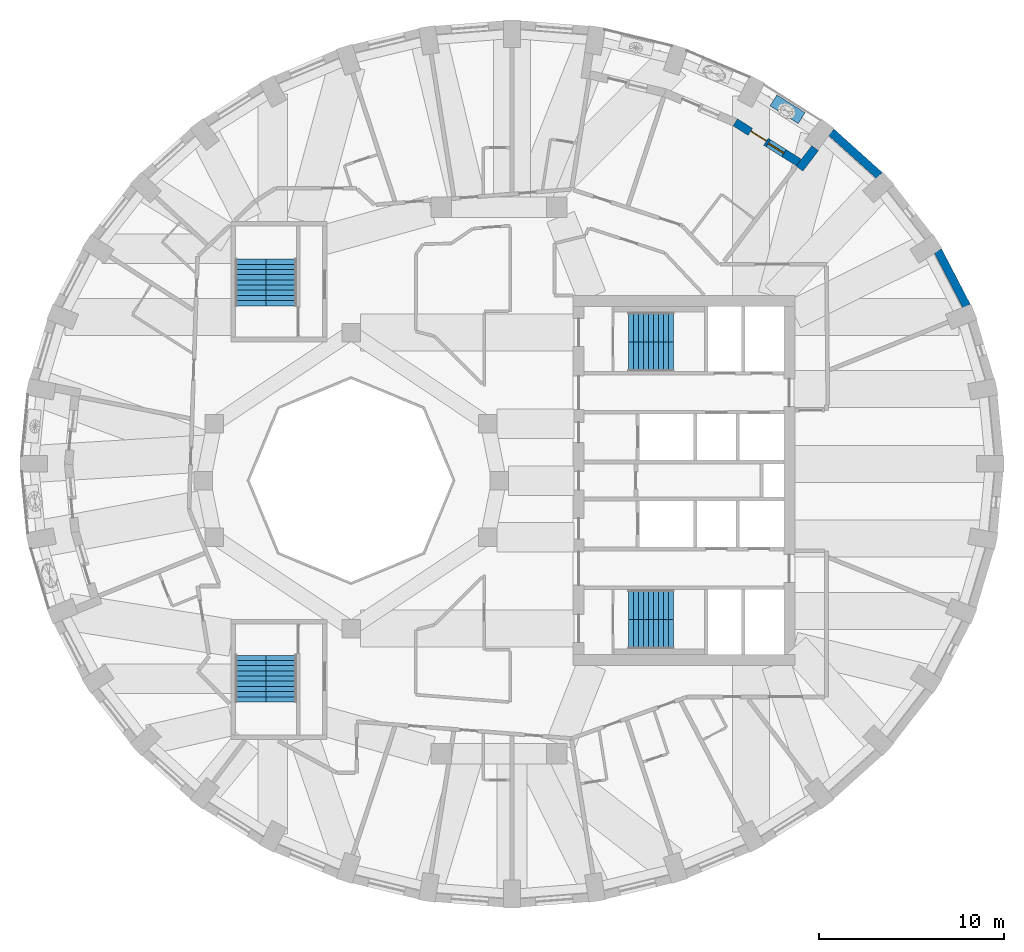
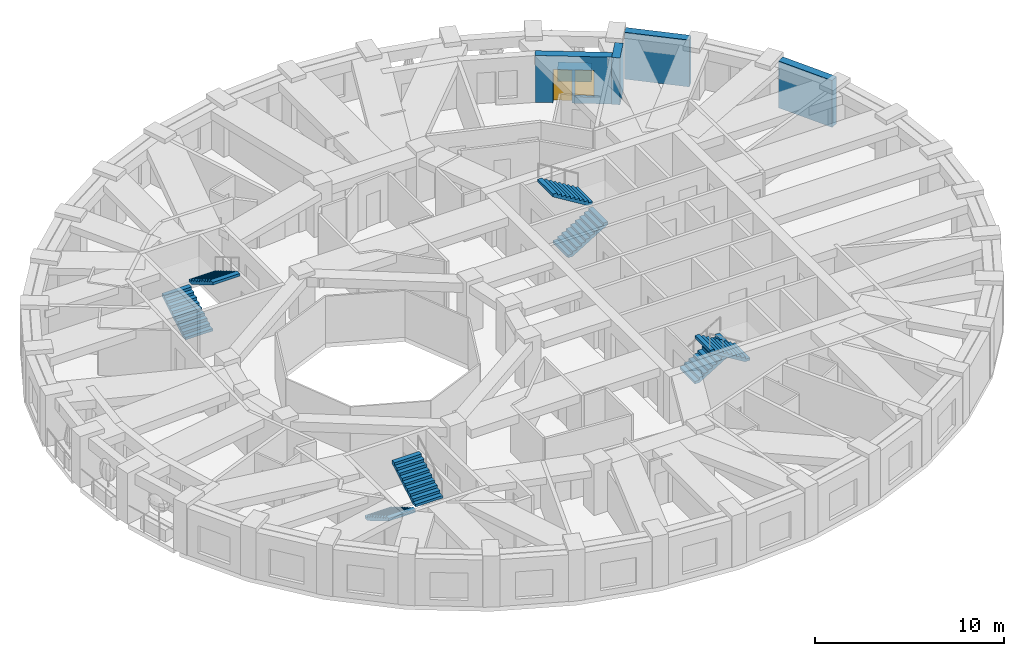
# One storey, part 9 of 12: 8 stair flights, 5 walls, 1 door, 1 window, 2 openings, 4 elements without a shape of their own.
"""IFC4 building model written with IfcOpenShell, lengths in metres."""

from ifc_helpers import new_model, si_unit, direction, frame, frame_2d, origin, place, context, subcontext, project, spatial, polyline, rectangle, outline, extrude, material, layer, layer_set, constituent, constituent_set, type_object, element, fill, aggregate, save


model = new_model("IFC4")

# Units and contexts
model_context = context("Model", 3, precision=1e-05, world=origin(), true_north=direction((0.0, 1.0)))
body_context = subcontext(model_context, "Body", "Model", "MODEL_VIEW")
ifc_project = project(units=[si_unit("LENGTHUNIT", "METRE"), si_unit("AREAUNIT", "SQUARE_METRE"), si_unit("VOLUMEUNIT", "CUBIC_METRE"), si_unit("PLANEANGLEUNIT", "RADIAN"), si_unit("MASSUNIT", "GRAM", prefix="KILO")], contexts=[model_context])

# Site, building, storey
site_placement = place(None, origin())
site = spatial("IfcSite", under=ifc_project, at=site_placement, CompositionType="ELEMENT")
building_placement = place(site_placement, origin())
building = spatial("IfcBuilding", under=site, at=building_placement, Name="Taillehof Tower", CompositionType="ELEMENT")
storey_placement = place(building_placement, frame((0.0, 0.0, 195.800048828125)))
storey = spatial("IfcBuildingStorey", under=building, at=storey_placement, Name="L55", CompositionType="ELEMENT", Elevation=195.800048828125)

# Walls
ifc_material_1 = material(Name="Brick masonry", Category="masonry")
ifc_layer = layer(ifc_material_1, 0.449951171875)
ifc_layer_set = layer_set([ifc_layer], Name="Brick infill wall 450")
wall_type_1 = type_object("IfcWallType", Name="Brick infill wall 450", PredefinedType="SOLIDWALL", material=ifc_layer_set)
wall_1_placement = place(storey_placement, frame((25.278076171875, 9.431640625, 0.0), z_axis=(0.0, 0.0, 1.0), x_axis=(-0.460175500475, 0.887827972505, 0.0)))
element("IfcWall", 1, at=wall_1_placement, inside=storey, type_object=wall_type_1, Name="Brick wall L55 bay 3", PredefinedType="SOLIDWALL", context=body_context, shape_type="SweptSolid", body=[
    extrude(rectangle(XDim=3.37060546875, YDim=0.449951171875, at=frame_2d((1.685302734375, 0.0))), origin(), (0.0, 0.0, 1.0), 3.02001953125),
])
wall_2_placement = place(storey_placement, frame((20.56494140625, 16.490478515625, 0.0), z_axis=(0.0, 0.0, 1.0), x_axis=(-0.743442727602, 0.668799604348, 0.0)))
element("IfcWall", 2, at=wall_2_placement, inside=storey, type_object=wall_type_1, Name="Brick wall L55 bay 5", PredefinedType="SOLIDWALL", context=body_context, shape_type="SweptSolid", body=[
    extrude(rectangle(XDim=3.5126953125, YDim=0.449951171875, at=frame_2d((1.75634765625, 0.0))), origin(), (0.0, 0.0, 1.0), 3.02001953125),
])
wall_3_placement = place(storey_placement, frame((17.084716796875, 17.969970703125, 0.0), z_axis=(0.0, 0.0, 1.0), x_axis=(-0.603644757989, -0.797253414011, 0.0)))
element("IfcWall", 3, at=wall_3_placement, inside=storey, type_object=wall_type_1, Name="Brick reveal L55 pocket 1", PredefinedType="SOLIDWALL", context=body_context, shape_type="SweptSolid", body=[
    extrude(rectangle(XDim=1.390869140625, YDim=0.449951171875, at=frame_2d((0.6953125, 0.0))), origin(), (0.0, 0.0, 1.0), 3.02001953125),
])

# Wall, openings, door, window
wall_4_placement = place(storey_placement, frame((16.213134765625, 17.191650390625, 0.0), z_axis=(0.0, 0.0, 1.0), x_axis=(-0.84545185308, 0.534051649303, 0.0)))
wall_4 = element("IfcWall", 4, at=wall_4_placement, inside=storey, type_object=wall_type_1, Name="Brick wall L55 pocket bay 6", PredefinedType="SOLIDWALL", context=body_context, shape_type="SweptSolid", body=[
    extrude(rectangle(XDim=4.0712890625, YDim=0.449951171875, at=frame_2d((2.03564453125, 0.0))), origin(), (0.0, 0.0, 1.0), 3.02001953125),
])
opening_1_placement = place(wall_4_placement, frame((0.960693359375, 0.0, 0.39990234375)))
opening_1 = element("IfcOpeningElement", 5, at=opening_1_placement, cuts=wall_4, Name="Opening W5", PredefinedType="OPENING", context=body_context, shape_type="SweptSolid", body=[
    extrude(rectangle(XDim=1.0, YDim=1.75, at=frame_2d((0.5, 0.875))), frame((0.0, 0.23486328125, 0.0), z_axis=(0.0, -1.0, 0.0), x_axis=(1.0, 0.0, 0.0)), (0.0, 0.0, 1.0), 0.469970703125),
])
opening_2_placement = place(wall_4_placement, frame((2.110595703125, 0.0, 0.0)))
opening_2 = element("IfcOpeningElement", 6, at=opening_2_placement, cuts=wall_4, Name="Opening D5591", PredefinedType="OPENING", context=body_context, shape_type="SweptSolid", body=[
    extrude(rectangle(XDim=1.0, YDim=2.14990234375, at=frame_2d((0.5, 1.074951171875))), frame((0.0, 0.23486328125, 0.0), z_axis=(0.0, -1.0, 0.0), x_axis=(1.0, 0.0, 0.0)), (0.0, 0.0, 1.0), 0.469970703125),
])
ifc_material_2 = material(Name="Aluminium door frame with clear double glazing", Category="aluminium")
door_type = type_object("IfcDoorType", Name="Balcony door 1000x2150", OperationType="SINGLE_SWING_RIGHT", PredefinedType="DOOR", material=ifc_material_2)
door_placement = place(opening_2_placement, frame((1.0, 0.0, 0.0), z_axis=(0.0, 0.0, 1.0), x_axis=(-1.0, 0.0, 0.0)))
door = element("IfcDoor", 7, at=door_placement, inside=storey, type_object=door_type, Name="Balcony door L55 bay 6", OperationType="SINGLE_SWING_RIGHT", OverallHeight=2.14990234375, OverallWidth=1.0, PredefinedType="DOOR", context=body_context, shape_type="SweptSolid", body=[
    extrude(rectangle(XDim=1.0, YDim=2.14990234375, at=frame_2d((0.5, 1.074951171875))), frame((0.0, 0.0751953125, 0.0), z_axis=(0.0, -1.0, 0.0), x_axis=(1.0, 0.0, 0.0)), (0.0, 0.0, 1.0), 0.050048828125),
])
fill(opening_2, door)
ifc_material_3 = material(Name="Aluminium window frame with clear double glazing", Category="aluminium")
window_type = type_object("IfcWindowType", Name="Fixed window 1000x1750", PartitioningType="SINGLE_PANEL", PredefinedType="WINDOW", material=ifc_material_3)
window_placement = place(opening_1_placement, origin())
window = element("IfcWindow", 8, at=window_placement, inside=storey, type_object=window_type, Name="W5", OverallHeight=1.75, OverallWidth=1.0, PartitioningType="SINGLE_PANEL", PredefinedType="WINDOW", context=body_context, shape_type="SweptSolid", body=[
    extrude(rectangle(XDim=1.0, YDim=1.75, at=frame_2d((0.5, 0.875))), frame((0.0, 0.034912109375, 0.0), z_axis=(0.0, -1.0, 0.0), x_axis=(1.0, 0.0, 0.0)), (0.0, 0.0, 1.0), 0.06005859375),
])
fill(opening_1, window)

# Wall
ifc_material_4 = material(Name="Concrete C30/37 precast", Category="concrete")
ifc_constituent_1 = constituent(ifc_material_4, Name="Structure", Category="concrete")
ifc_material_5 = material(Name="Insulated lining")
ifc_constituent_2 = constituent(ifc_material_5, Name="Lining")
ifc_constituent_set = constituent_set(constituents=[ifc_constituent_1, ifc_constituent_2], Name="Planter trough 700x750")
wall_type_2 = type_object("IfcWallType", Name="Planter trough 700x750", PredefinedType="USERDEFINED", material=ifc_constituent_set)
wall_5_placement = place(storey_placement, frame((16.359619140625, 19.59326171875, 0.0), z_axis=(0.0, 0.0, 1.0), x_axis=(-0.846149017978, 0.532946375703, 0.0)))
element("IfcWall", 9, at=wall_5_placement, inside=storey, type_object=wall_type_2, Name="Planter L55 bay 6", ObjectType="PLANTER", PredefinedType="USERDEFINED", context=body_context, shape_type="SweptSolid", body=[
    extrude(rectangle(XDim=1.7998046875, YDim=0.699951171875, at=frame_2d((0.89990234375, 0.0))), origin(), (0.0, 0.0, 1.0), 0.75),
])

# Stair, stair flights
ifc_material_6 = material(Name="Concrete C40/50", Category="concrete")
stair_type = type_object("IfcStairType", Name="Exit stair half-turn", PredefinedType="HALF_TURN_STAIR", material=ifc_material_6)
stair_1_placement = place(storey_placement, origin())
stair_1 = element("IfcStair", 10, at=stair_1_placement, inside=storey, type_object=stair_type, Name="Exit stair S1", PredefinedType="HALF_TURN_STAIR")
ifc_material_7 = material(Name="Concrete C40/50", Category="concrete")
stair_flight_type_1 = type_object("IfcStairFlightType", Name="Stair flight 1600 riser 165.0 going 270", PredefinedType="STRAIGHT", material=ifc_material_7)
stair_flight_1_placement = place(storey_placement, frame((7.0, 6.699951171875, 0.0), z_axis=(0.0, 0.0, 1.0), x_axis=(1.0, 0.0, 0.0)))
stair_flight_1 = element("IfcStairFlight", 11, at=stair_flight_1_placement, type_object=stair_flight_type_1, Name="S1 flight 1", NumberOfRisers=10, NumberOfTreads=9, PredefinedType="STRAIGHT", RiserHeight=0.165, TreadLength=0.27, context=body_context, shape_type="SweptSolid", body=[
    extrude(outline(polyline([(0.0, 0.0), (0.0, 0.00537109375), (0.0, 0.0107421875), (0.0, 0.015869140625), (0.0, 0.021240234375), (0.0, 0.026611328125), (0.0, 0.031982421875), (0.0, 0.037353515625), (0.0, 0.04248046875), (0.0, 0.0478515625), (0.0, 0.05322265625), (0.0, 0.05859375), (0.0, 0.06396484375), (0.0, 0.069091796875), (0.0, 0.074462890625), (0.0, 0.079833984375), (0.0, 0.085205078125), (0.0, 0.090576171875), (0.0, 0.095703125), (0.0, 0.10107421875), (0.0, 0.1064453125), (0.0, 0.11181640625), (0.0, 0.1171875), (0.0, 0.122314453125), (0.0, 0.127685546875), (0.0, 0.133056640625), (0.0, 0.138427734375), (0.0, 0.143798828125), (0.0, 0.14892578125), (0.0, 0.154296875), (0.0, 0.15966796875), (0.0, 0.1650390625), (0.27001953125, 0.1650390625), (0.27001953125, 0.330078125), (0.5400390625, 0.330078125), (0.5400390625, 0.4951171875), (0.81005859375, 0.4951171875), (0.81005859375, 0.659912109375), (1.080078125, 0.659912109375), (1.080078125, 0.824951171875), (1.35009765625, 0.824951171875), (1.35009765625, 0.989990234375), (1.6201171875, 0.989990234375), (1.6201171875, 1.155029296875), (1.889892578125, 1.155029296875), (1.889892578125, 1.320068359375), (2.159912109375, 1.320068359375), (2.159912109375, 1.485107421875), (2.429931640625, 1.485107421875), (2.429931640625, 1.479248046875), (2.429931640625, 1.4736328125), (2.429931640625, 1.468017578125), (2.429931640625, 1.46240234375), (2.429931640625, 1.45654296875), (2.429931640625, 1.450927734375), (2.429931640625, 1.4453125), (2.429931640625, 1.439697265625), (2.429931640625, 1.43408203125), (2.429931640625, 1.42822265625), (2.429931640625, 1.422607421875), (2.429931640625, 1.4169921875), (2.429931640625, 1.411376953125), (2.429931640625, 1.40576171875), (2.429931640625, 1.39990234375), (2.429931640625, 1.394287109375), (2.429931640625, 1.388671875), (2.429931640625, 1.383056640625), (2.429931640625, 1.37744140625), (2.429931640625, 1.37158203125), (2.429931640625, 1.365966796875), (2.429931640625, 1.3603515625), (2.429931640625, 1.354736328125), (2.429931640625, 1.348876953125), (2.429931640625, 1.34326171875), (2.429931640625, 1.337646484375), (2.429931640625, 1.33203125), (2.429931640625, 1.326416015625), (2.429931640625, 1.320556640625), (2.429931640625, 1.31494140625), (2.429931640625, 1.309326171875), (0.287353515625, 0.0), (0.0, 0.0)])), frame((0.0, 0.800048828125, 0.0), z_axis=(0.0, -1.0, 0.0), x_axis=(1.0, 0.0, 0.0)), (0.0, 0.0, 1.0), 1.6),
])
stair_flight_2_placement = place(storey_placement, frame((9.429931640625, 8.300048828125, 1.64990234375), z_axis=(0.0, 0.0, 1.0), x_axis=(-1.0, 0.0, 0.0)))
stair_flight_2 = element("IfcStairFlight", 12, at=stair_flight_2_placement, type_object=stair_flight_type_1, Name="S1 flight 2", NumberOfRisers=10, NumberOfTreads=9, PredefinedType="STRAIGHT", RiserHeight=0.165, TreadLength=0.27, context=body_context, shape_type="SweptSolid", body=[
    extrude(outline(polyline([(0.0, 0.0), (0.0, 0.00537109375), (0.0, 0.0107421875), (0.0, 0.015869140625), (0.0, 0.021240234375), (0.0, 0.026611328125), (0.0, 0.031982421875), (0.0, 0.037353515625), (0.0, 0.04248046875), (0.0, 0.0478515625), (0.0, 0.05322265625), (0.0, 0.05859375), (0.0, 0.06396484375), (0.0, 0.069091796875), (0.0, 0.074462890625), (0.0, 0.079833984375), (0.0, 0.085205078125), (0.0, 0.090576171875), (0.0, 0.095703125), (0.0, 0.10107421875), (0.0, 0.1064453125), (0.0, 0.11181640625), (0.0, 0.1171875), (0.0, 0.122314453125), (0.0, 0.127685546875), (0.0, 0.133056640625), (0.0, 0.138427734375), (0.0, 0.143798828125), (0.0, 0.14892578125), (0.0, 0.154296875), (0.0, 0.15966796875), (0.0, 0.1650390625), (0.27001953125, 0.1650390625), (0.27001953125, 0.330078125), (0.5400390625, 0.330078125), (0.5400390625, 0.4951171875), (0.81005859375, 0.4951171875), (0.81005859375, 0.659912109375), (1.080078125, 0.659912109375), (1.080078125, 0.824951171875), (1.35009765625, 0.824951171875), (1.35009765625, 0.989990234375), (1.6201171875, 0.989990234375), (1.6201171875, 1.155029296875), (1.889892578125, 1.155029296875), (1.889892578125, 1.320068359375), (2.159912109375, 1.320068359375), (2.159912109375, 1.485107421875), (2.429931640625, 1.485107421875), (2.429931640625, 1.479248046875), (2.429931640625, 1.4736328125), (2.429931640625, 1.468017578125), (2.429931640625, 1.46240234375), (2.429931640625, 1.45654296875), (2.429931640625, 1.450927734375), (2.429931640625, 1.4453125), (2.429931640625, 1.439697265625), (2.429931640625, 1.43408203125), (2.429931640625, 1.42822265625), (2.429931640625, 1.422607421875), (2.429931640625, 1.4169921875), (2.429931640625, 1.411376953125), (2.429931640625, 1.40576171875), (2.429931640625, 1.39990234375), (2.429931640625, 1.394287109375), (2.429931640625, 1.388671875), (2.429931640625, 1.383056640625), (2.429931640625, 1.37744140625), (2.429931640625, 1.37158203125), (2.429931640625, 1.365966796875), (2.429931640625, 1.3603515625), (2.429931640625, 1.354736328125), (2.429931640625, 1.348876953125), (2.429931640625, 1.34326171875), (2.429931640625, 1.337646484375), (2.429931640625, 1.33203125), (2.429931640625, 1.326416015625), (2.429931640625, 1.320556640625), (2.429931640625, 1.31494140625), (2.429931640625, 1.309326171875), (0.287353515625, 0.0), (0.0, 0.0)])), frame((0.0, 0.800048828125, 0.0), z_axis=(0.0, -1.0, 0.0), x_axis=(1.0, 0.0, 0.0)), (0.0, 0.0, 1.0), 1.6),
])
aggregate(stair_1, [stair_flight_1, stair_flight_2])

stair_2_placement = place(storey_placement, origin())
stair_2 = element("IfcStair", 13, at=stair_2_placement, inside=storey, type_object=stair_type, Name="Exit stair S2", PredefinedType="HALF_TURN_STAIR")
stair_flight_3_placement = place(storey_placement, frame((7.0, -6.699951171875, 0.0), z_axis=(0.0, 0.0, 1.0), x_axis=(1.0, 0.0, 0.0)))
stair_flight_3 = element("IfcStairFlight", 14, at=stair_flight_3_placement, type_object=stair_flight_type_1, Name="S2 flight 1", NumberOfRisers=10, NumberOfTreads=9, PredefinedType="STRAIGHT", RiserHeight=0.165, TreadLength=0.27, context=body_context, shape_type="SweptSolid", body=[
    extrude(outline(polyline([(0.0, 0.0), (0.0, 0.00537109375), (0.0, 0.0107421875), (0.0, 0.015869140625), (0.0, 0.021240234375), (0.0, 0.026611328125), (0.0, 0.031982421875), (0.0, 0.037353515625), (0.0, 0.04248046875), (0.0, 0.0478515625), (0.0, 0.05322265625), (0.0, 0.05859375), (0.0, 0.06396484375), (0.0, 0.069091796875), (0.0, 0.074462890625), (0.0, 0.079833984375), (0.0, 0.085205078125), (0.0, 0.090576171875), (0.0, 0.095703125), (0.0, 0.10107421875), (0.0, 0.1064453125), (0.0, 0.11181640625), (0.0, 0.1171875), (0.0, 0.122314453125), (0.0, 0.127685546875), (0.0, 0.133056640625), (0.0, 0.138427734375), (0.0, 0.143798828125), (0.0, 0.14892578125), (0.0, 0.154296875), (0.0, 0.15966796875), (0.0, 0.1650390625), (0.27001953125, 0.1650390625), (0.27001953125, 0.330078125), (0.5400390625, 0.330078125), (0.5400390625, 0.4951171875), (0.81005859375, 0.4951171875), (0.81005859375, 0.659912109375), (1.080078125, 0.659912109375), (1.080078125, 0.824951171875), (1.35009765625, 0.824951171875), (1.35009765625, 0.989990234375), (1.6201171875, 0.989990234375), (1.6201171875, 1.155029296875), (1.889892578125, 1.155029296875), (1.889892578125, 1.320068359375), (2.159912109375, 1.320068359375), (2.159912109375, 1.485107421875), (2.429931640625, 1.485107421875), (2.429931640625, 1.479248046875), (2.429931640625, 1.4736328125), (2.429931640625, 1.468017578125), (2.429931640625, 1.46240234375), (2.429931640625, 1.45654296875), (2.429931640625, 1.450927734375), (2.429931640625, 1.4453125), (2.429931640625, 1.439697265625), (2.429931640625, 1.43408203125), (2.429931640625, 1.42822265625), (2.429931640625, 1.422607421875), (2.429931640625, 1.4169921875), (2.429931640625, 1.411376953125), (2.429931640625, 1.40576171875), (2.429931640625, 1.39990234375), (2.429931640625, 1.394287109375), (2.429931640625, 1.388671875), (2.429931640625, 1.383056640625), (2.429931640625, 1.37744140625), (2.429931640625, 1.37158203125), (2.429931640625, 1.365966796875), (2.429931640625, 1.3603515625), (2.429931640625, 1.354736328125), (2.429931640625, 1.348876953125), (2.429931640625, 1.34326171875), (2.429931640625, 1.337646484375), (2.429931640625, 1.33203125), (2.429931640625, 1.326416015625), (2.429931640625, 1.320556640625), (2.429931640625, 1.31494140625), (2.429931640625, 1.309326171875), (0.287353515625, 0.0), (0.0, 0.0)])), frame((0.0, 0.800048828125, 0.0), z_axis=(0.0, -1.0, 0.0), x_axis=(1.0, 0.0, 0.0)), (0.0, 0.0, 1.0), 1.6),
])
stair_flight_4_placement = place(storey_placement, frame((9.429931640625, -8.300048828125, 1.64990234375), z_axis=(0.0, 0.0, 1.0), x_axis=(-1.0, 0.0, 0.0)))
stair_flight_4 = element("IfcStairFlight", 15, at=stair_flight_4_placement, type_object=stair_flight_type_1, Name="S2 flight 2", NumberOfRisers=10, NumberOfTreads=9, PredefinedType="STRAIGHT", RiserHeight=0.165, TreadLength=0.27, context=body_context, shape_type="SweptSolid", body=[
    extrude(outline(polyline([(0.0, 0.0), (0.0, 0.00537109375), (0.0, 0.0107421875), (0.0, 0.015869140625), (0.0, 0.021240234375), (0.0, 0.026611328125), (0.0, 0.031982421875), (0.0, 0.037353515625), (0.0, 0.04248046875), (0.0, 0.0478515625), (0.0, 0.05322265625), (0.0, 0.05859375), (0.0, 0.06396484375), (0.0, 0.069091796875), (0.0, 0.074462890625), (0.0, 0.079833984375), (0.0, 0.085205078125), (0.0, 0.090576171875), (0.0, 0.095703125), (0.0, 0.10107421875), (0.0, 0.1064453125), (0.0, 0.11181640625), (0.0, 0.1171875), (0.0, 0.122314453125), (0.0, 0.127685546875), (0.0, 0.133056640625), (0.0, 0.138427734375), (0.0, 0.143798828125), (0.0, 0.14892578125), (0.0, 0.154296875), (0.0, 0.15966796875), (0.0, 0.1650390625), (0.27001953125, 0.1650390625), (0.27001953125, 0.330078125), (0.5400390625, 0.330078125), (0.5400390625, 0.4951171875), (0.81005859375, 0.4951171875), (0.81005859375, 0.659912109375), (1.080078125, 0.659912109375), (1.080078125, 0.824951171875), (1.35009765625, 0.824951171875), (1.35009765625, 0.989990234375), (1.6201171875, 0.989990234375), (1.6201171875, 1.155029296875), (1.889892578125, 1.155029296875), (1.889892578125, 1.320068359375), (2.159912109375, 1.320068359375), (2.159912109375, 1.485107421875), (2.429931640625, 1.485107421875), (2.429931640625, 1.479248046875), (2.429931640625, 1.4736328125), (2.429931640625, 1.468017578125), (2.429931640625, 1.46240234375), (2.429931640625, 1.45654296875), (2.429931640625, 1.450927734375), (2.429931640625, 1.4453125), (2.429931640625, 1.439697265625), (2.429931640625, 1.43408203125), (2.429931640625, 1.42822265625), (2.429931640625, 1.422607421875), (2.429931640625, 1.4169921875), (2.429931640625, 1.411376953125), (2.429931640625, 1.40576171875), (2.429931640625, 1.39990234375), (2.429931640625, 1.394287109375), (2.429931640625, 1.388671875), (2.429931640625, 1.383056640625), (2.429931640625, 1.37744140625), (2.429931640625, 1.37158203125), (2.429931640625, 1.365966796875), (2.429931640625, 1.3603515625), (2.429931640625, 1.354736328125), (2.429931640625, 1.348876953125), (2.429931640625, 1.34326171875), (2.429931640625, 1.337646484375), (2.429931640625, 1.33203125), (2.429931640625, 1.326416015625), (2.429931640625, 1.320556640625), (2.429931640625, 1.31494140625), (2.429931640625, 1.309326171875), (0.287353515625, 0.0), (0.0, 0.0)])), frame((0.0, 0.800048828125, 0.0), z_axis=(0.0, -1.0, 0.0), x_axis=(1.0, 0.0, 0.0)), (0.0, 0.0, 1.0), 1.6),
])
aggregate(stair_2, [stair_flight_3, stair_flight_4])

stair_3_placement = place(storey_placement, origin())
stair_3 = element("IfcStair", 16, at=stair_3_placement, inside=storey, type_object=stair_type, Name="Exit stair S3", PredefinedType="HALF_TURN_STAIR")
ifc_material_8 = material(Name="Concrete C40/50", Category="concrete")
stair_flight_type_2 = type_object("IfcStairFlightType", Name="Stair flight 1650 riser 165.0 going 280", PredefinedType="STRAIGHT", material=ifc_material_8)
stair_flight_5_placement = place(storey_placement, frame((-13.425048828125, 9.449951171875, 0.0), z_axis=(0.0, 0.0, 1.0), x_axis=(0.0, 1.0, 0.0)))
stair_flight_5 = element("IfcStairFlight", 17, at=stair_flight_5_placement, type_object=stair_flight_type_2, Name="S3 flight 1", NumberOfRisers=10, NumberOfTreads=9, PredefinedType="STRAIGHT", RiserHeight=0.165, TreadLength=0.28, context=body_context, shape_type="SweptSolid", body=[
    extrude(outline(polyline([(0.0, 0.0), (0.0, 0.00537109375), (0.0, 0.0107421875), (0.0, 0.015869140625), (0.0, 0.021240234375), (0.0, 0.026611328125), (0.0, 0.031982421875), (0.0, 0.037353515625), (0.0, 0.04248046875), (0.0, 0.0478515625), (0.0, 0.05322265625), (0.0, 0.05859375), (0.0, 0.06396484375), (0.0, 0.069091796875), (0.0, 0.074462890625), (0.0, 0.079833984375), (0.0, 0.085205078125), (0.0, 0.090576171875), (0.0, 0.095703125), (0.0, 0.10107421875), (0.0, 0.1064453125), (0.0, 0.11181640625), (0.0, 0.1171875), (0.0, 0.122314453125), (0.0, 0.127685546875), (0.0, 0.133056640625), (0.0, 0.138427734375), (0.0, 0.143798828125), (0.0, 0.14892578125), (0.0, 0.154296875), (0.0, 0.15966796875), (0.0, 0.1650390625), (0.280029296875, 0.1650390625), (0.280029296875, 0.330078125), (0.56005859375, 0.330078125), (0.56005859375, 0.4951171875), (0.840087890625, 0.4951171875), (0.840087890625, 0.659912109375), (1.1201171875, 0.659912109375), (1.1201171875, 0.824951171875), (1.39990234375, 0.824951171875), (1.39990234375, 0.989990234375), (1.679931640625, 0.989990234375), (1.679931640625, 1.155029296875), (1.9599609375, 1.155029296875), (1.9599609375, 1.320068359375), (2.239990234375, 1.320068359375), (2.239990234375, 1.485107421875), (2.52001953125, 1.485107421875), (2.52001953125, 1.4794921875), (2.52001953125, 1.473876953125), (2.52001953125, 1.46826171875), (2.52001953125, 1.462646484375), (2.52001953125, 1.45703125), (2.52001953125, 1.451416015625), (2.52001953125, 1.44580078125), (2.52001953125, 1.440185546875), (2.52001953125, 1.4345703125), (2.52001953125, 1.428955078125), (2.52001953125, 1.42333984375), (2.52001953125, 1.417724609375), (2.52001953125, 1.412109375), (2.52001953125, 1.406494140625), (2.52001953125, 1.40087890625), (2.52001953125, 1.395263671875), (2.52001953125, 1.3896484375), (2.52001953125, 1.384033203125), (2.52001953125, 1.37841796875), (2.52001953125, 1.372802734375), (2.52001953125, 1.3671875), (2.52001953125, 1.361572265625), (2.52001953125, 1.35595703125), (2.52001953125, 1.350341796875), (2.52001953125, 1.3447265625), (2.52001953125, 1.339111328125), (2.52001953125, 1.33349609375), (2.52001953125, 1.327880859375), (2.52001953125, 1.322265625), (2.52001953125, 1.316650390625), (2.52001953125, 1.31103515625), (0.295166015625, 0.0), (0.0, 0.0)])), frame((0.0, 0.824951171875, 0.0), z_axis=(0.0, -1.0, 0.0), x_axis=(1.0, 0.0, 0.0)), (0.0, 0.0, 1.0), 1.65),
])
stair_flight_6_placement = place(storey_placement, frame((-11.77490234375, 11.969970703125, 1.64990234375), z_axis=(0.0, 0.0, 1.0), x_axis=(0.0, -1.0, 0.0)))
stair_flight_6 = element("IfcStairFlight", 18, at=stair_flight_6_placement, type_object=stair_flight_type_2, Name="S3 flight 2", NumberOfRisers=10, NumberOfTreads=9, PredefinedType="STRAIGHT", RiserHeight=0.165, TreadLength=0.28, context=body_context, shape_type="SweptSolid", body=[
    extrude(outline(polyline([(0.0, 0.0), (0.0, 0.00537109375), (0.0, 0.0107421875), (0.0, 0.015869140625), (0.0, 0.021240234375), (0.0, 0.026611328125), (0.0, 0.031982421875), (0.0, 0.037353515625), (0.0, 0.04248046875), (0.0, 0.0478515625), (0.0, 0.05322265625), (0.0, 0.05859375), (0.0, 0.06396484375), (0.0, 0.069091796875), (0.0, 0.074462890625), (0.0, 0.079833984375), (0.0, 0.085205078125), (0.0, 0.090576171875), (0.0, 0.095703125), (0.0, 0.10107421875), (0.0, 0.1064453125), (0.0, 0.11181640625), (0.0, 0.1171875), (0.0, 0.122314453125), (0.0, 0.127685546875), (0.0, 0.133056640625), (0.0, 0.138427734375), (0.0, 0.143798828125), (0.0, 0.14892578125), (0.0, 0.154296875), (0.0, 0.15966796875), (0.0, 0.1650390625), (0.280029296875, 0.1650390625), (0.280029296875, 0.330078125), (0.56005859375, 0.330078125), (0.56005859375, 0.4951171875), (0.840087890625, 0.4951171875), (0.840087890625, 0.659912109375), (1.1201171875, 0.659912109375), (1.1201171875, 0.824951171875), (1.39990234375, 0.824951171875), (1.39990234375, 0.989990234375), (1.679931640625, 0.989990234375), (1.679931640625, 1.155029296875), (1.9599609375, 1.155029296875), (1.9599609375, 1.320068359375), (2.239990234375, 1.320068359375), (2.239990234375, 1.485107421875), (2.52001953125, 1.485107421875), (2.52001953125, 1.4794921875), (2.52001953125, 1.473876953125), (2.52001953125, 1.46826171875), (2.52001953125, 1.462646484375), (2.52001953125, 1.45703125), (2.52001953125, 1.451416015625), (2.52001953125, 1.44580078125), (2.52001953125, 1.440185546875), (2.52001953125, 1.4345703125), (2.52001953125, 1.428955078125), (2.52001953125, 1.42333984375), (2.52001953125, 1.417724609375), (2.52001953125, 1.412109375), (2.52001953125, 1.406494140625), (2.52001953125, 1.40087890625), (2.52001953125, 1.395263671875), (2.52001953125, 1.3896484375), (2.52001953125, 1.384033203125), (2.52001953125, 1.37841796875), (2.52001953125, 1.372802734375), (2.52001953125, 1.3671875), (2.52001953125, 1.361572265625), (2.52001953125, 1.35595703125), (2.52001953125, 1.350341796875), (2.52001953125, 1.3447265625), (2.52001953125, 1.339111328125), (2.52001953125, 1.33349609375), (2.52001953125, 1.327880859375), (2.52001953125, 1.322265625), (2.52001953125, 1.316650390625), (2.52001953125, 1.31103515625), (0.295166015625, 0.0), (0.0, 0.0)])), frame((0.0, 0.824951171875, 0.0), z_axis=(0.0, -1.0, 0.0), x_axis=(1.0, 0.0, 0.0)), (0.0, 0.0, 1.0), 1.65),
])
aggregate(stair_3, [stair_flight_5, stair_flight_6])

stair_4_placement = place(storey_placement, origin())
stair_4 = element("IfcStair", 19, at=stair_4_placement, inside=storey, type_object=stair_type, Name="Exit stair S4", PredefinedType="HALF_TURN_STAIR")
stair_flight_7_placement = place(storey_placement, frame((-13.425048828125, -9.449951171875, 0.0), z_axis=(0.0, 0.0, 1.0), x_axis=(0.0, -1.0, 0.0)))
stair_flight_7 = element("IfcStairFlight", 20, at=stair_flight_7_placement, type_object=stair_flight_type_2, Name="S4 flight 1", NumberOfRisers=10, NumberOfTreads=9, PredefinedType="STRAIGHT", RiserHeight=0.165, TreadLength=0.28, context=body_context, shape_type="SweptSolid", body=[
    extrude(outline(polyline([(0.0, 0.0), (0.0, 0.00537109375), (0.0, 0.0107421875), (0.0, 0.015869140625), (0.0, 0.021240234375), (0.0, 0.026611328125), (0.0, 0.031982421875), (0.0, 0.037353515625), (0.0, 0.04248046875), (0.0, 0.0478515625), (0.0, 0.05322265625), (0.0, 0.05859375), (0.0, 0.06396484375), (0.0, 0.069091796875), (0.0, 0.074462890625), (0.0, 0.079833984375), (0.0, 0.085205078125), (0.0, 0.090576171875), (0.0, 0.095703125), (0.0, 0.10107421875), (0.0, 0.1064453125), (0.0, 0.11181640625), (0.0, 0.1171875), (0.0, 0.122314453125), (0.0, 0.127685546875), (0.0, 0.133056640625), (0.0, 0.138427734375), (0.0, 0.143798828125), (0.0, 0.14892578125), (0.0, 0.154296875), (0.0, 0.15966796875), (0.0, 0.1650390625), (0.280029296875, 0.1650390625), (0.280029296875, 0.330078125), (0.56005859375, 0.330078125), (0.56005859375, 0.4951171875), (0.840087890625, 0.4951171875), (0.840087890625, 0.659912109375), (1.1201171875, 0.659912109375), (1.1201171875, 0.824951171875), (1.39990234375, 0.824951171875), (1.39990234375, 0.989990234375), (1.679931640625, 0.989990234375), (1.679931640625, 1.155029296875), (1.9599609375, 1.155029296875), (1.9599609375, 1.320068359375), (2.239990234375, 1.320068359375), (2.239990234375, 1.485107421875), (2.52001953125, 1.485107421875), (2.52001953125, 1.4794921875), (2.52001953125, 1.473876953125), (2.52001953125, 1.46826171875), (2.52001953125, 1.462646484375), (2.52001953125, 1.45703125), (2.52001953125, 1.451416015625), (2.52001953125, 1.44580078125), (2.52001953125, 1.440185546875), (2.52001953125, 1.4345703125), (2.52001953125, 1.428955078125), (2.52001953125, 1.42333984375), (2.52001953125, 1.417724609375), (2.52001953125, 1.412109375), (2.52001953125, 1.406494140625), (2.52001953125, 1.40087890625), (2.52001953125, 1.395263671875), (2.52001953125, 1.3896484375), (2.52001953125, 1.384033203125), (2.52001953125, 1.37841796875), (2.52001953125, 1.372802734375), (2.52001953125, 1.3671875), (2.52001953125, 1.361572265625), (2.52001953125, 1.35595703125), (2.52001953125, 1.350341796875), (2.52001953125, 1.3447265625), (2.52001953125, 1.339111328125), (2.52001953125, 1.33349609375), (2.52001953125, 1.327880859375), (2.52001953125, 1.322265625), (2.52001953125, 1.316650390625), (2.52001953125, 1.31103515625), (0.295166015625, 0.0), (0.0, 0.0)])), frame((0.0, 0.824951171875, 0.0), z_axis=(0.0, -1.0, 0.0), x_axis=(1.0, 0.0, 0.0)), (0.0, 0.0, 1.0), 1.65),
])
stair_flight_8_placement = place(storey_placement, frame((-11.77490234375, -11.969970703125, 1.64990234375), z_axis=(0.0, 0.0, 1.0), x_axis=(0.0, 1.0, 0.0)))
stair_flight_8 = element("IfcStairFlight", 21, at=stair_flight_8_placement, type_object=stair_flight_type_2, Name="S4 flight 2", NumberOfRisers=10, NumberOfTreads=9, PredefinedType="STRAIGHT", RiserHeight=0.165, TreadLength=0.28, context=body_context, shape_type="SweptSolid", body=[
    extrude(outline(polyline([(0.0, 0.0), (0.0, 0.00537109375), (0.0, 0.0107421875), (0.0, 0.015869140625), (0.0, 0.021240234375), (0.0, 0.026611328125), (0.0, 0.031982421875), (0.0, 0.037353515625), (0.0, 0.04248046875), (0.0, 0.0478515625), (0.0, 0.05322265625), (0.0, 0.05859375), (0.0, 0.06396484375), (0.0, 0.069091796875), (0.0, 0.074462890625), (0.0, 0.079833984375), (0.0, 0.085205078125), (0.0, 0.090576171875), (0.0, 0.095703125), (0.0, 0.10107421875), (0.0, 0.1064453125), (0.0, 0.11181640625), (0.0, 0.1171875), (0.0, 0.122314453125), (0.0, 0.127685546875), (0.0, 0.133056640625), (0.0, 0.138427734375), (0.0, 0.143798828125), (0.0, 0.14892578125), (0.0, 0.154296875), (0.0, 0.15966796875), (0.0, 0.1650390625), (0.280029296875, 0.1650390625), (0.280029296875, 0.330078125), (0.56005859375, 0.330078125), (0.56005859375, 0.4951171875), (0.840087890625, 0.4951171875), (0.840087890625, 0.659912109375), (1.1201171875, 0.659912109375), (1.1201171875, 0.824951171875), (1.39990234375, 0.824951171875), (1.39990234375, 0.989990234375), (1.679931640625, 0.989990234375), (1.679931640625, 1.155029296875), (1.9599609375, 1.155029296875), (1.9599609375, 1.320068359375), (2.239990234375, 1.320068359375), (2.239990234375, 1.485107421875), (2.52001953125, 1.485107421875), (2.52001953125, 1.4794921875), (2.52001953125, 1.473876953125), (2.52001953125, 1.46826171875), (2.52001953125, 1.462646484375), (2.52001953125, 1.45703125), (2.52001953125, 1.451416015625), (2.52001953125, 1.44580078125), (2.52001953125, 1.440185546875), (2.52001953125, 1.4345703125), (2.52001953125, 1.428955078125), (2.52001953125, 1.42333984375), (2.52001953125, 1.417724609375), (2.52001953125, 1.412109375), (2.52001953125, 1.406494140625), (2.52001953125, 1.40087890625), (2.52001953125, 1.395263671875), (2.52001953125, 1.3896484375), (2.52001953125, 1.384033203125), (2.52001953125, 1.37841796875), (2.52001953125, 1.372802734375), (2.52001953125, 1.3671875), (2.52001953125, 1.361572265625), (2.52001953125, 1.35595703125), (2.52001953125, 1.350341796875), (2.52001953125, 1.3447265625), (2.52001953125, 1.339111328125), (2.52001953125, 1.33349609375), (2.52001953125, 1.327880859375), (2.52001953125, 1.322265625), (2.52001953125, 1.316650390625), (2.52001953125, 1.31103515625), (0.295166015625, 0.0), (0.0, 0.0)])), frame((0.0, 0.824951171875, 0.0), z_axis=(0.0, -1.0, 0.0), x_axis=(1.0, 0.0, 0.0)), (0.0, 0.0, 1.0), 1.65),
])
aggregate(stair_4, [stair_flight_7, stair_flight_8])

save(model, "model.ifc")
